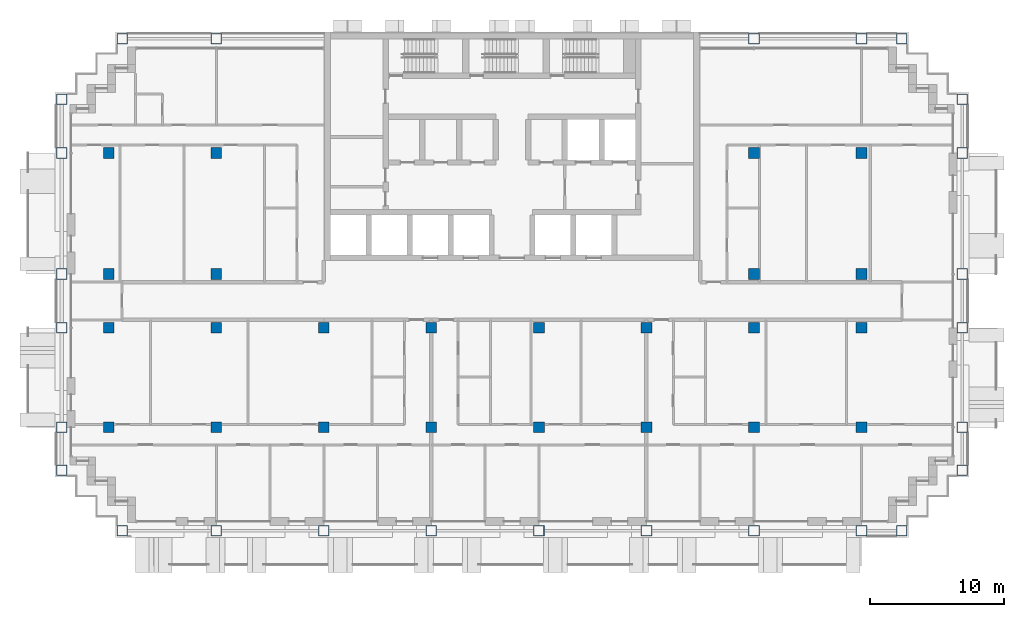
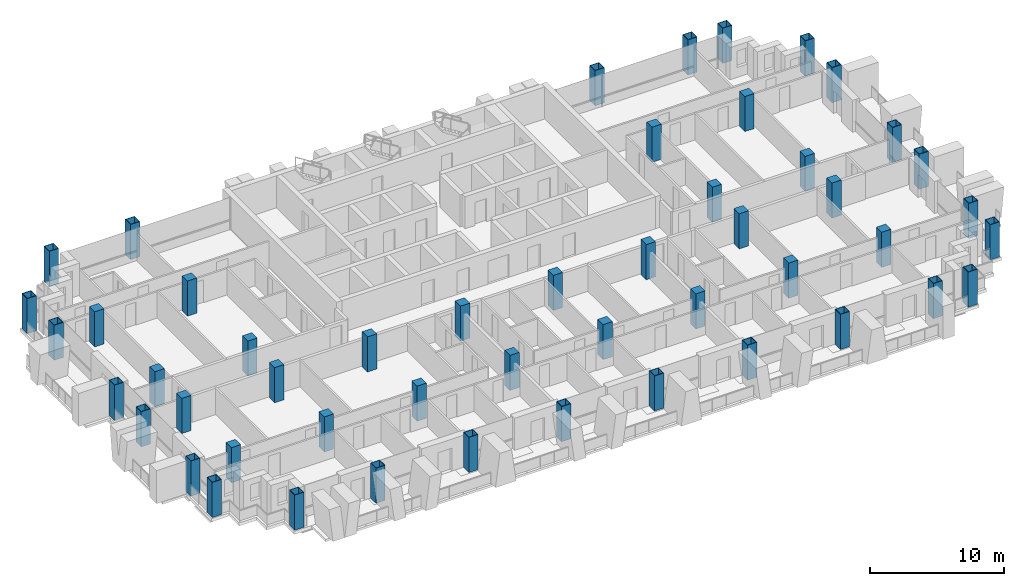
# One storey, part 1 of 16: 50 columns.
"""IFC4 building model written with IfcOpenShell, lengths in metres."""

from ifc_helpers import new_model, si_unit, direction, frame, origin, origin_2d, place, context, subcontext, project, spatial, rectangle, hollow_rectangle, extrude, material, material_profile, profile_set, type_object, element, save


model = new_model("IFC4")

# Units and contexts
model_context = context("Model", 3, precision=1e-05, world=origin(), true_north=direction((0.0, 1.0)))
body_context = subcontext(model_context, "Body", "Model", "MODEL_VIEW")
ifc_project = project(units=[si_unit("LENGTHUNIT", "METRE"), si_unit("AREAUNIT", "SQUARE_METRE"), si_unit("VOLUMEUNIT", "CUBIC_METRE"), si_unit("PLANEANGLEUNIT", "RADIAN"), si_unit("MASSUNIT", "GRAM", prefix="KILO")], contexts=[model_context])

# Site, building, storey
site_placement = place(None, origin())
site = spatial("IfcSite", under=ifc_project, at=site_placement, CompositionType="ELEMENT")
building_placement = place(site_placement, origin())
building = spatial("IfcBuilding", under=site, at=building_placement, Name="Vidyagriha Tower", CompositionType="ELEMENT")
storey_placement = place(building_placement, frame((0.0, 0.0, 132.60009765625)))
storey = spatial("IfcBuildingStorey", under=building, at=storey_placement, Name="L34", CompositionType="ELEMENT", Elevation=132.60009765625)

# Columns
ifc_material_1 = material(Name="Steel ASTM A572 Grade 50", Category="steel")
ifc_material_profile_1 = material_profile(ifc_material_1, hollow_rectangle(XDim=0.800048828125, YDim=0.800048828125, WallThickness=0.0400390625, at=origin_2d()), Name="BOX 800x800x40")
ifc_profile_set_1 = profile_set([ifc_material_profile_1], Name="Steel ASTM A572 Grade 50")
column_type_1 = type_object("IfcColumnType", Name="Exoskeleton column BOX 800x800x40", PredefinedType="COLUMN", material=ifc_profile_set_1)
for number, where, name in (
    (1, (-29.0, -17.10009765625, 0.0), "st-col-L34-B3-001"),
    (2, (-22.0, -17.10009765625, 0.0), "st-col-L34-B3-002"),
    (3, (-14.0, -17.10009765625, 0.0), "st-col-L34-B3-003"),
    (4, (-6.0, -17.10009765625, 0.0), "st-col-L34-B3-004"),
    (5, (2.0, -17.10009765625, 0.0), "st-col-L34-B3-005"),
    (6, (10.0, -17.10009765625, 0.0), "st-col-L34-B3-006"),
    (7, (18.0, -17.10009765625, 0.0), "st-col-L34-B3-007"),
    (8, (26.0, -17.10009765625, 0.0), "st-col-L34-B3-008"),
    (9, (29.0, -17.10009765625, 0.0), "st-col-L34-B3-009"),
    (10, (-33.5, -12.60009765625, 0.0), "st-col-L34-B3-010"),
    (11, (33.5, -12.60009765625, 0.0), "st-col-L34-B3-011"),
    (12, (-33.5, -9.39990234375, 0.0), "st-col-L34-B3-012"),
    (13, (33.5, -9.39990234375, 0.0), "st-col-L34-B3-021"),
    (14, (-33.5, -2.0, 0.0), "st-col-L34-B3-022"),
    (15, (33.5, -2.0, 0.0), "st-col-L34-B3-031"),
    (16, (-33.5, 2.0, 0.0), "st-col-L34-B3-032"),
    (17, (33.5, 2.0, 0.0), "st-col-L34-B3-037"),
    (18, (-33.5, 11.0, 0.0), "st-col-L34-B3-038"),
    (19, (33.5, 11.0, 0.0), "st-col-L34-B3-043"),
    (20, (-33.5, 15.0, 0.0), "st-col-L34-B3-044"),
    (21, (33.5, 15.0, 0.0), "st-col-L34-B3-045"),
    (22, (-29.0, 19.5, 0.0), "st-col-L34-B3-046"),
    (23, (-22.0, 19.5, 0.0), "st-col-L34-B3-047"),
    (24, (18.0, 19.5, 0.0), "st-col-L34-B3-048"),
    (25, (26.0, 19.5, 0.0), "st-col-L34-B3-049"),
    (26, (29.0, 19.5, 0.0), "st-col-L34-B3-050"),
):
    element("IfcColumn", number, at=place(storey_placement, frame(where)), inside=storey, type_object=column_type_1, Name=name, PredefinedType="COLUMN", context=body_context, shape_type="SweptSolid", body=[
        extrude(hollow_rectangle(XDim=0.800048828125, YDim=0.800048828125, WallThickness=0.0400390625, at=origin_2d()), origin(), (0.0, 0.0, 1.0), 3.199951171875),
    ])
ifc_material_2 = material(Name="Concrete C80/95", Category="concrete")
ifc_material_profile_2 = material_profile(ifc_material_2, rectangle(XDim=0.800048828125, YDim=0.800048828125, at=origin_2d()), Name="RC 800x800")
ifc_profile_set_2 = profile_set([ifc_material_profile_2], Name="Concrete C80/95")
column_type_2 = type_object("IfcColumnType", Name="Frame column RC 800x800", PredefinedType="COLUMN", material=ifc_profile_set_2)
for number, where, name in (
    (27, (-30.0, -9.39990234375, 0.0), "st-col-L34-B3-013"),
    (28, (-22.0, -9.39990234375, 0.0), "st-col-L34-B3-014"),
    (29, (-14.0, -9.39990234375, 0.0), "st-col-L34-B3-015"),
    (30, (-6.0, -9.39990234375, 0.0), "st-col-L34-B3-016"),
    (31, (2.0, -9.39990234375, 0.0), "st-col-L34-B3-017"),
    (32, (10.0, -9.39990234375, 0.0), "st-col-L34-B3-018"),
    (33, (18.0, -9.39990234375, 0.0), "st-col-L34-B3-019"),
    (34, (26.0, -9.39990234375, 0.0), "st-col-L34-B3-020"),
    (35, (-30.0, -2.0, 0.0), "st-col-L34-B3-023"),
    (36, (-22.0, -2.0, 0.0), "st-col-L34-B3-024"),
    (37, (-14.0, -2.0, 0.0), "st-col-L34-B3-025"),
    (38, (-6.0, -2.0, 0.0), "st-col-L34-B3-026"),
    (39, (2.0, -2.0, 0.0), "st-col-L34-B3-027"),
    (40, (10.0, -2.0, 0.0), "st-col-L34-B3-028"),
    (41, (18.0, -2.0, 0.0), "st-col-L34-B3-029"),
    (42, (26.0, -2.0, 0.0), "st-col-L34-B3-030"),
    (43, (-30.0, 2.0, 0.0), "st-col-L34-B3-033"),
    (44, (-22.0, 2.0, 0.0), "st-col-L34-B3-034"),
    (45, (18.0, 2.0, 0.0), "st-col-L34-B3-035"),
    (46, (26.0, 2.0, 0.0), "st-col-L34-B3-036"),
    (47, (-30.0, 11.0, 0.0), "st-col-L34-B3-039"),
    (48, (-22.0, 11.0, 0.0), "st-col-L34-B3-040"),
    (49, (18.0, 11.0, 0.0), "st-col-L34-B3-041"),
    (50, (26.0, 11.0, 0.0), "st-col-L34-B3-042"),
):
    element("IfcColumn", number, at=place(storey_placement, frame(where)), inside=storey, type_object=column_type_2, Name=name, PredefinedType="COLUMN", context=body_context, shape_type="SweptSolid", body=[
        extrude(rectangle(XDim=0.800048828125, YDim=0.800048828125, at=origin_2d()), origin(), (0.0, 0.0, 1.0), 3.199951171875),
    ])

save(model, "model.ifc")
